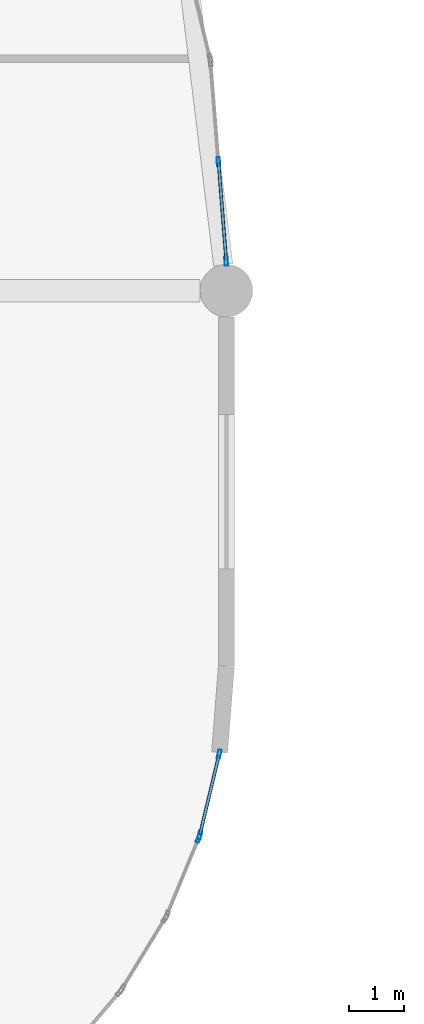
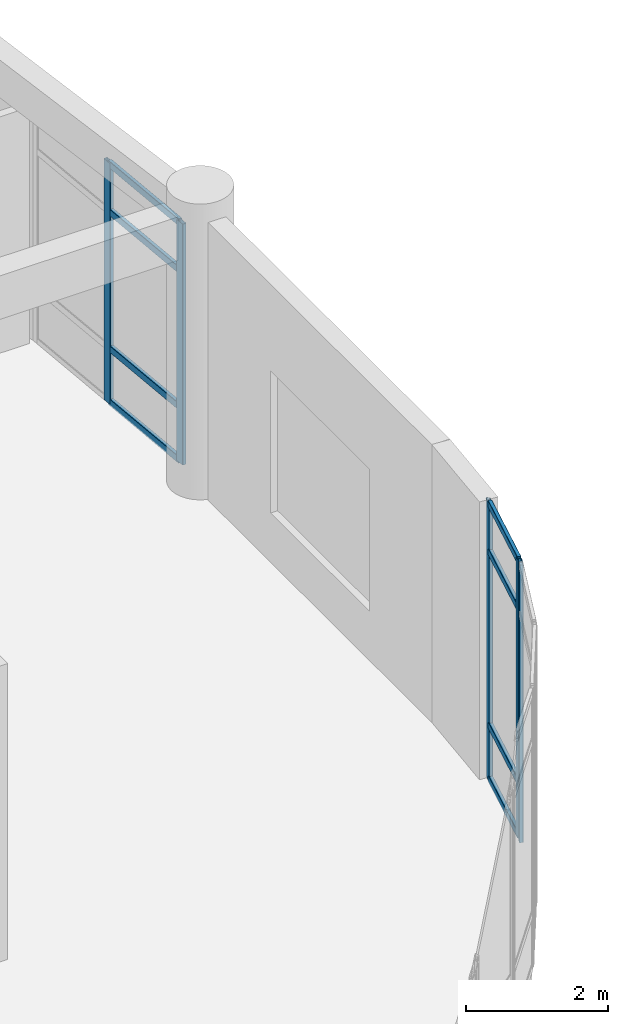
# One storey, part 79 of 120: 13 members, 3 elements without a shape of their own.
"""IFC4 building model written with IfcOpenShell, lengths in metres."""

from ifc_helpers import new_model, si_unit, derived_unit, direction, frame, origin, origin_2d, place, context, subcontext, project, spatial, hollow_rectangle, extrude, material, layer, layer_set, material_profile, profile_set, type_object, element, aggregate, save


model = new_model("IFC4")

# Units and contexts
model_context = context("Model", 3, precision=1e-05, world=origin(), true_north=direction((0.0, 1.0)))
body_context = subcontext(model_context, "Body", "Model", "MODEL_VIEW")
ifc_project = project(units=[si_unit("LENGTHUNIT", "METRE"), si_unit("AREAUNIT", "SQUARE_METRE"), si_unit("VOLUMEUNIT", "CUBIC_METRE"), si_unit("PLANEANGLEUNIT", "RADIAN"), si_unit("MASSUNIT", "GRAM", prefix="KILO"), derived_unit("THERMALTRANSMITTANCEUNIT", [(si_unit("MASSUNIT", "GRAM", prefix="KILO"), 1), (si_unit("TIMEUNIT", "SECOND"), -3), (si_unit("THERMODYNAMICTEMPERATUREUNIT", "KELVIN"), -1)])], contexts=[model_context])

# Site, building, storey
site_placement = place(None, origin())
site = spatial("IfcSite", under=ifc_project, at=site_placement, CompositionType="ELEMENT")
building_placement = place(site_placement, origin())
building = spatial("IfcBuilding", under=site, at=building_placement, Name="Qinzheling Arcade Emporium", CompositionType="ELEMENT")
storey_placement = place(building_placement, frame((0.0, 0.0, 11.39990234375)))
storey = spatial("IfcBuildingStorey", under=building, at=storey_placement, Name="L03", CompositionType="ELEMENT", Elevation=11.39990234375)

# Curtain wall, members
ifc_material_1 = material(Name="Anodised aluminium and solar-control double glazing", Category="aluminium")
ifc_layer = layer(ifc_material_1, 0.159912109375, Name="Anodised aluminium and solar-control double glazing", Category="aluminium")
ifc_layer_set = layer_set([ifc_layer], Name="Anodised aluminium and solar-control double glazing")
curtain_wall_type = type_object("IfcCurtainWallType", Name="Curved Ribbon Sales Curtain Wall", PredefinedType="NOTDEFINED", material=ifc_layer_set)
curtain_wall_1_placement = place(storey_placement, origin())
curtain_wall_1 = element("IfcCurtainWall", 1, at=curtain_wall_1_placement, inside=storey, type_object=curtain_wall_type, Name="Curtain Wall CW-L03-191", PredefinedType="NOTDEFINED")
ifc_material_2 = material(Name="Anodised aluminium 6063-T6", Category="aluminium")
ifc_material_profile_1 = material_profile(ifc_material_2, hollow_rectangle(XDim=0.06005859375, YDim=0.159912109375, WallThickness=0.00390625, InnerFilletRadius=0.00390625, OuterFilletRadius=0.008056640625, at=origin_2d()), Name="RHS 160x60x4", Category="aluminium")
ifc_profile_set_1 = profile_set([ifc_material_profile_1], Name="Anodised aluminium 6063-T6")
member_type_1 = type_object("IfcMemberType", Name="Curtain Wall Mullion RHS160x60", PredefinedType="MULLION", material=ifc_profile_set_1)
member_1_placement = place(storey_placement, frame((147.755615234375, 92.93798828125, 0.0), z_axis=(0.0, 0.0, 1.0), x_axis=(0.996923852542, 0.078376222365, 0.0)))
member_1 = element("IfcMember", 2, at=member_1_placement, type_object=member_type_1, Name="CW02 mullion 2", PredefinedType="MULLION", context=body_context, shape_type="SweptSolid", body=[
    extrude(hollow_rectangle(XDim=0.06005859375, YDim=0.159912109375, WallThickness=0.00390625, InnerFilletRadius=0.00390625, OuterFilletRadius=0.008056640625, at=origin_2d()), origin(), (0.0, 0.0, 1.0), 4.155029296875),
])
member_2_placement = place(storey_placement, frame((147.897705078125, 91.1298828125, 0.0), z_axis=(0.0, 0.0, 1.0), x_axis=(0.996923852542, 0.078376222365, 0.0)))
member_2 = element("IfcMember", 3, at=member_2_placement, type_object=member_type_1, Name="CW02 mullion 3", PredefinedType="MULLION", context=body_context, shape_type="SweptSolid", body=[
    extrude(hollow_rectangle(XDim=0.06005859375, YDim=0.159912109375, WallThickness=0.00390625, InnerFilletRadius=0.00390625, OuterFilletRadius=0.008056640625, at=origin_2d()), origin(), (0.0, 0.0, 1.0), 4.155029296875),
])

curtain_wall_2_placement = place(storey_placement, origin())
curtain_wall_2 = element("IfcCurtainWall", 4, at=curtain_wall_2_placement, inside=storey, type_object=curtain_wall_type, Name="Curtain Wall CW-L03-192", PredefinedType="NOTDEFINED")
member_3_placement = place(storey_placement, frame((147.77001953125, 82.206787109375, 0.0), z_axis=(0.0, 0.0, 1.0), x_axis=(0.972421996964, -0.233228342659, 0.0)))
member_3 = element("IfcMember", 5, at=member_3_placement, type_object=member_type_1, Name="CW02 mullion 1", PredefinedType="MULLION", context=body_context, shape_type="SweptSolid", body=[
    extrude(hollow_rectangle(XDim=0.06005859375, YDim=0.159912109375, WallThickness=0.00390625, InnerFilletRadius=0.00390625, OuterFilletRadius=0.008056640625, at=origin_2d()), origin(), (0.0, 0.0, 1.0), 4.7900390625),
])
member_4_placement = place(storey_placement, frame((147.41796875, 80.7392578125, 0.0), z_axis=(0.0, 0.0, 1.0), x_axis=(0.972421996964, -0.233228342659, 0.0)))
member_4 = element("IfcMember", 6, at=member_4_placement, type_object=member_type_1, Name="CW02 mullion 2", PredefinedType="MULLION", context=body_context, shape_type="SweptSolid", body=[
    extrude(hollow_rectangle(XDim=0.06005859375, YDim=0.159912109375, WallThickness=0.00390625, InnerFilletRadius=0.00390625, OuterFilletRadius=0.008056640625, at=origin_2d()), origin(), (0.0, 0.0, 1.0), 4.7900390625),
])

# Curtain wall, member
curtain_wall_3_placement = place(storey_placement, origin())
curtain_wall_3 = element("IfcCurtainWall", 7, at=curtain_wall_3_placement, inside=storey, type_object=curtain_wall_type, Name="Curtain Wall CW-L03-193", PredefinedType="NOTDEFINED")
member_5_placement = place(storey_placement, frame((147.3994140625, 80.682373046875, 0.0), z_axis=(0.0, 0.0, 1.0), x_axis=(0.923791586038, -0.382895684967, 0.0)))
member_5 = element("IfcMember", 8, at=member_5_placement, type_object=member_type_1, Name="CW02 mullion 1", PredefinedType="MULLION", context=body_context, shape_type="SweptSolid", body=[
    extrude(hollow_rectangle(XDim=0.06005859375, YDim=0.159912109375, WallThickness=0.00390625, InnerFilletRadius=0.00390625, OuterFilletRadius=0.008056640625, at=origin_2d()), origin(), (0.0, 0.0, 1.0), 4.7900390625),
])
aggregate(curtain_wall_3, [member_5])

# Member
ifc_material_profile_2 = material_profile(ifc_material_2, hollow_rectangle(XDim=0.06005859375, YDim=0.1201171875, WallThickness=0.00390625, InnerFilletRadius=0.00390625, OuterFilletRadius=0.008056640625, at=origin_2d()), Name="RHS 120x60x4", Category="aluminium")
ifc_profile_set_2 = profile_set([ifc_material_profile_2], Name="Anodised aluminium 6063-T6")
member_type_2 = type_object("IfcMemberType", Name="Curtain Wall Transom RHS120x60", PredefinedType="USERDEFINED", material=ifc_profile_set_2)
member_6_placement = place(storey_placement, frame((147.7578125, 92.908203125, 0.030029296875), z_axis=(0.078378443051, -0.996923677954, 0.0), x_axis=(0.996923677954, 0.078378443051, 0.0)))
member_6 = element("IfcMember", 9, at=member_6_placement, type_object=member_type_2, Name="CW02 transom 2.1", ObjectType="TRANSOM", PredefinedType="USERDEFINED", context=body_context, shape_type="SweptSolid", body=[
    extrude(hollow_rectangle(XDim=0.06005859375, YDim=0.1201171875, WallThickness=0.00390625, InnerFilletRadius=0.00390625, OuterFilletRadius=0.008056640625, at=origin_2d()), origin(), (0.0, 0.0, 1.0), 1.753662109375),
])

member_7_placement = place(storey_placement, frame((147.7578125, 92.908203125, 0.9501953125), z_axis=(0.078378443051, -0.996923677954, 0.0), x_axis=(0.996923677954, 0.078378443051, 0.0)))
member_7 = element("IfcMember", 10, at=member_7_placement, type_object=member_type_2, Name="CW02 transom 2.2", ObjectType="TRANSOM", PredefinedType="USERDEFINED", context=body_context, shape_type="SweptSolid", body=[
    extrude(hollow_rectangle(XDim=0.06005859375, YDim=0.1201171875, WallThickness=0.00390625, InnerFilletRadius=0.00390625, OuterFilletRadius=0.008056640625, at=origin_2d()), origin(), (0.0, 0.0, 1.0), 1.753662109375),
])

member_8_placement = place(storey_placement, frame((147.7578125, 92.908203125, 3.30517578125), z_axis=(0.078378443051, -0.996923677954, 0.0), x_axis=(0.996923677954, 0.078378443051, 0.0)))
member_8 = element("IfcMember", 11, at=member_8_placement, type_object=member_type_2, Name="CW02 transom 2.3", ObjectType="TRANSOM", PredefinedType="USERDEFINED", context=body_context, shape_type="SweptSolid", body=[
    extrude(hollow_rectangle(XDim=0.06005859375, YDim=0.1201171875, WallThickness=0.00390625, InnerFilletRadius=0.00390625, OuterFilletRadius=0.008056640625, at=origin_2d()), origin(), (0.0, 0.0, 1.0), 1.753662109375),
])

member_9_placement = place(storey_placement, frame((147.7578125, 92.908203125, 4.125), z_axis=(0.078378443051, -0.996923677954, 0.0), x_axis=(0.996923677954, 0.078378443051, 0.0)))
member_9 = element("IfcMember", 12, at=member_9_placement, type_object=member_type_2, Name="CW02 transom 2.4", ObjectType="TRANSOM", PredefinedType="USERDEFINED", context=body_context, shape_type="SweptSolid", body=[
    extrude(hollow_rectangle(XDim=0.06005859375, YDim=0.1201171875, WallThickness=0.00390625, InnerFilletRadius=0.00390625, OuterFilletRadius=0.008056640625, at=origin_2d()), origin(), (0.0, 0.0, 1.0), 1.753662109375),
])

aggregate(curtain_wall_1, [member_1, member_2, member_6, member_7, member_8, member_9])

member_10_placement = place(storey_placement, frame((147.762939453125, 82.177734375, 0.030029296875), z_axis=(-0.233130850252, -0.972445374641, 0.0), x_axis=(0.972445374641, -0.233130850252, 0.0)))
member_10 = element("IfcMember", 13, at=member_10_placement, type_object=member_type_2, Name="CW02 transom 1.1", ObjectType="TRANSOM", PredefinedType="USERDEFINED", context=body_context, shape_type="SweptSolid", body=[
    extrude(hollow_rectangle(XDim=0.06005859375, YDim=0.1201171875, WallThickness=0.00390625, InnerFilletRadius=0.00390625, OuterFilletRadius=0.008056640625, at=origin_2d()), origin(), (0.0, 0.0, 1.0), 1.449462890625),
])

member_11_placement = place(storey_placement, frame((147.762939453125, 82.177734375, 0.9501953125), z_axis=(-0.233130850252, -0.972445374641, 0.0), x_axis=(0.972445374641, -0.233130850252, 0.0)))
member_11 = element("IfcMember", 14, at=member_11_placement, type_object=member_type_2, Name="CW02 transom 1.2", ObjectType="TRANSOM", PredefinedType="USERDEFINED", context=body_context, shape_type="SweptSolid", body=[
    extrude(hollow_rectangle(XDim=0.06005859375, YDim=0.1201171875, WallThickness=0.00390625, InnerFilletRadius=0.00390625, OuterFilletRadius=0.008056640625, at=origin_2d()), origin(), (0.0, 0.0, 1.0), 1.449462890625),
])

member_12_placement = place(storey_placement, frame((147.762939453125, 82.177734375, 3.940185546875), z_axis=(-0.233130850252, -0.972445374641, 0.0), x_axis=(0.972445374641, -0.233130850252, 0.0)))
member_12 = element("IfcMember", 15, at=member_12_placement, type_object=member_type_2, Name="CW02 transom 1.3", ObjectType="TRANSOM", PredefinedType="USERDEFINED", context=body_context, shape_type="SweptSolid", body=[
    extrude(hollow_rectangle(XDim=0.06005859375, YDim=0.1201171875, WallThickness=0.00390625, InnerFilletRadius=0.00390625, OuterFilletRadius=0.008056640625, at=origin_2d()), origin(), (0.0, 0.0, 1.0), 1.449462890625),
])

member_13_placement = place(storey_placement, frame((147.762939453125, 82.177734375, 4.760009765625), z_axis=(-0.233130850252, -0.972445374641, 0.0), x_axis=(0.972445374641, -0.233130850252, 0.0)))
member_13 = element("IfcMember", 16, at=member_13_placement, type_object=member_type_2, Name="CW02 transom 1.4", ObjectType="TRANSOM", PredefinedType="USERDEFINED", context=body_context, shape_type="SweptSolid", body=[
    extrude(hollow_rectangle(XDim=0.06005859375, YDim=0.1201171875, WallThickness=0.00390625, InnerFilletRadius=0.00390625, OuterFilletRadius=0.008056640625, at=origin_2d()), origin(), (0.0, 0.0, 1.0), 1.449462890625),
])

aggregate(curtain_wall_2, [member_3, member_4, member_10, member_11, member_12, member_13])

save(model, "model.ifc")
